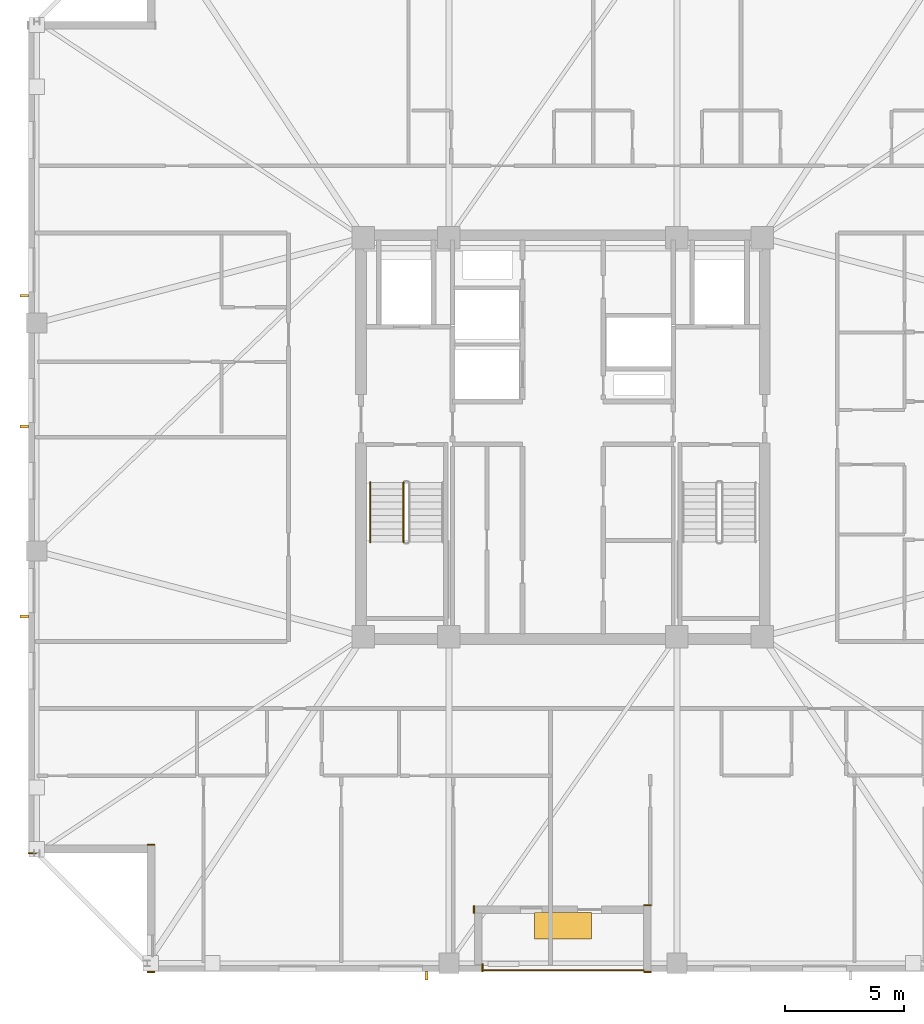
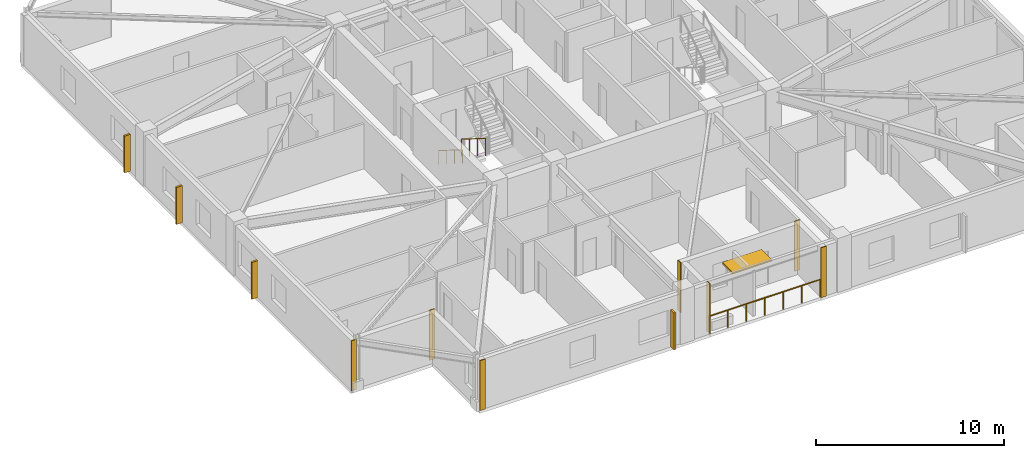
# One storey, part 13 of 17: 7 coverings, 5 shading devices, 3 railings.
"""IFC4 building model written with IfcOpenShell, lengths in metres."""

from ifc_helpers import new_model, si_unit, direction, frame, frame_2d, origin, origin_2d, place, context, subcontext, project, spatial, rectangle, circle, extrude, material, layer, layer_set, type_object, element, save


model = new_model("IFC4")

# Units and contexts
model_context = context("Model", 3, precision=1e-05, world=origin(), true_north=direction((0.0, 1.0)))
body_context = subcontext(model_context, "Body", "Model", "MODEL_VIEW")
ifc_project = project(units=[si_unit("LENGTHUNIT", "METRE"), si_unit("AREAUNIT", "SQUARE_METRE"), si_unit("VOLUMEUNIT", "CUBIC_METRE"), si_unit("PLANEANGLEUNIT", "RADIAN"), si_unit("MASSUNIT", "GRAM", prefix="KILO")], contexts=[model_context])

# Site, building, storey
site_placement = place(None, origin())
site = spatial("IfcSite", under=ifc_project, at=site_placement, CompositionType="ELEMENT")
building_placement = place(site_placement, origin())
building = spatial("IfcBuilding", under=site, at=building_placement, Name="Cairnveth Concourse Tower", CompositionType="ELEMENT")
storey_placement = place(building_placement, frame((0.0, 0.0, 272.5)))
storey = spatial("IfcBuildingStorey", under=building, at=storey_placement, Name="L75", CompositionType="ELEMENT", Elevation=272.5)

# Coverings
ifc_material_1 = material(Name="Dressed Melbourne Bluestone Cladding", Category="masonry")
ifc_layer = layer(ifc_material_1, 0.050048828125)
ifc_layer_set = layer_set([ifc_layer], Name="Dressed Melbourne Bluestone Cladding")
covering_type = type_object("IfcCoveringType", Name="DRESSED BLUESTONE PLINTH CLADDING 50", PredefinedType="CLADDING", material=ifc_layer_set)
for number, where, z_axis, x_axis, name in (
    (1, (48.6201171875, 16.820068359375, 0.0), (0.0, 0.0, 1.0), (0.0, -1.0, 0.0), "Melbourne Bluestone Corner Quoin L75-1135"),
    (2, (34.820068359375, 16.47998046875, 0.0), (0.0, 0.0, 1.0), (-1.0, 0.0, 0.0), "Melbourne Bluestone Corner Quoin L75-1136"),
    (3, (34.820068359375, 21.840087890625, 0.0), (0.0, 0.0, 1.0), (-1.0, 0.0, 0.0), "Melbourne Bluestone Corner Quoin L75-1137"),
    (4, (29.820068359375, 21.47998046875, 0.0), (0.0, 0.0, 1.0), (-1.0, 0.0, 0.0), "Melbourne Bluestone Corner Quoin L75-1138"),
    (5, (55.719970703125, 16.47998046875, 0.0), (0.0, 0.0, 1.0), (-1.0, 0.0, 0.0), "Melbourne Bluestone Corner Quoin L75-1148"),
    (6, (55.719970703125, 19.2900390625, 0.0), (0.0, 0.0, 1.0), (-1.0, 0.0, 0.0), "Melbourne Bluestone Corner Quoin L75-1149"),
    (7, (48.260009765625, 19.27001953125, 0.0), (0.0, 0.0, 1.0), (0.0, -1.0, 0.0), "Melbourne Bluestone Corner Quoin L75-1150"),
):
    element("IfcCovering", number, at=place(storey_placement, frame(where, z_axis=z_axis, x_axis=x_axis)), inside=storey, type_object=covering_type, Name=name, PredefinedType="CLADDING", context=body_context, shape_type="SweptSolid", body=[
        extrude(rectangle(XDim=0.320068359375, YDim=0.050048828125, at=frame_2d((0.16015625, 0.0))), origin(), (0.0, 0.0, 1.0), 3.239990234375),
    ])

# Shading devices
ifc_material_2 = material(Name="Architectural Bronze Anodised Aluminium 6063-T6", Category="aluminium")
shading_device_type_1 = type_object("IfcShadingDeviceType", Name="GOTHIC BRONZE VERTICAL LANCET FIN", PredefinedType="USERDEFINED", material=ifc_material_2)
for number, where, z_axis, x_axis, name in (
    (8, (46.259521484375, 16.324951171875, 0.0302734375), (0.0, 0.0, 1.0), (1.0, 0.0, 0.0), "Gothic Bronze Vertical Fin L75-0-1"),
    (9, (29.324951171875, 31.453125, 0.0302734375), (0.0, 0.0, 1.0), (0.0, 1.0, 0.0), "Gothic Bronze Vertical Fin L75-3-3"),
    (10, (29.324951171875, 39.45361328125, 0.0302734375), (0.0, 0.0, 1.0), (0.0, 1.0, 0.0), "Gothic Bronze Vertical Fin L75-3-5"),
    (11, (29.324951171875, 44.9541015625, 0.0302734375), (0.0, 0.0, 1.0), (0.0, 1.0, 0.0), "Gothic Bronze Vertical Fin L75-3-7"),
):
    element("IfcShadingDevice", number, at=place(storey_placement, frame(where, z_axis=z_axis, x_axis=x_axis)), inside=storey, type_object=shading_device_type_1, Name=name, ObjectType="VERTICAL FIN", PredefinedType="USERDEFINED", context=body_context, shape_type="SweptSolid", body=[
        extrude(rectangle(XDim=0.1201171875, YDim=0.360107421875, at=origin_2d()), origin(), (0.0, 0.0, 1.0), 2.387939453125),
    ])
shading_device_type_2 = type_object("IfcShadingDeviceType", Name="SPIRAL TERRACE SUNSHADE CANOPY", PredefinedType="USERDEFINED", material=ifc_material_2)
shading_device_placement = place(storey_placement, frame((52.0, 18.429931640625, 2.267822265625), z_axis=(0.0, 0.0, 1.0), x_axis=(1.0, 0.0, 0.0)))
element("IfcShadingDevice", 12, at=shading_device_placement, inside=storey, type_object=shading_device_type_2, Name="Spiral Terrace Sunshade L75", ObjectType="TERRACE SUNSHADE", PredefinedType="USERDEFINED", context=body_context, shape_type="SweptSolid", body=[
    extrude(rectangle(XDim=2.39990234375, YDim=1.10009765625, at=origin_2d()), origin(), (0.0, 0.0, 1.0), 0.1201171875),
])

# Railings
ifc_material_3 = material(Name="Steel Grade 350", Category="steel")
railing_type_1 = type_object("IfcRailingType", Name="STAIR GUARDRAIL 1150", PredefinedType="GUARDRAIL", material=ifc_material_3)
railing_1_placement = place(storey_placement, frame((45.2900390625, 37.10009765625, 0.175048828125)))
element("IfcRailing", 13, at=railing_1_placement, inside=storey, type_object=railing_type_1, Name="L75 ST-1 stair guard 1", PredefinedType="GUARDRAIL", context=body_context, shape_type="SweptSolid", body=[
    extrude(circle(Radius=0.02392578125, at=origin_2d()), frame((0.0, 0.0, 1.1259765625), z_axis=(0.0, -0.848007534815, 0.529984170421), x_axis=(1.0, 0.0, 0.0)), (0.0, 0.0, 1.0), 2.9716796875),
    extrude(circle(Radius=0.02099609375, at=origin_2d()), origin(), (0.0, 0.0, 1.0), 1.101806640625),
    extrude(circle(Radius=0.02099609375, at=origin_2d()), frame((0.0, -0.840087890625, 0.52490234375)), (0.0, 0.0, 1.0), 1.101806640625),
    extrude(circle(Radius=0.02099609375, at=origin_2d()), frame((0.0, -1.679931640625, 1.050048828125)), (0.0, 0.0, 1.0), 1.101806640625),
    extrude(circle(Radius=0.02099609375, at=origin_2d()), frame((0.0, -2.52001953125, 1.574951171875)), (0.0, 0.0, 1.0), 1.101806640625),
])
railing_type_2 = type_object("IfcRailingType", Name="STAIR WALL HANDRAIL 900", PredefinedType="HANDRAIL", material=ifc_material_3)
railing_2_placement = place(storey_placement, frame((43.889892578125, 37.10009765625, 0.175048828125)))
element("IfcRailing", 14, at=railing_2_placement, inside=storey, type_object=railing_type_2, Name="L75 ST-1 stair handrail 1", PredefinedType="HANDRAIL", context=body_context, shape_type="SweptSolid", body=[
    extrude(circle(Radius=0.02392578125, at=origin_2d()), frame((0.0, 0.0, 0.8759765625), z_axis=(0.0, -0.848007534815, 0.529984170421), x_axis=(1.0, 0.0, 0.0)), (0.0, 0.0, 1.0), 2.9716796875),
    extrude(circle(Radius=0.02099609375, at=origin_2d()), origin(), (0.0, 0.0, 1.0), 0.851806640625),
    extrude(circle(Radius=0.02099609375, at=origin_2d()), frame((0.0, -0.840087890625, 0.52490234375)), (0.0, 0.0, 1.0), 0.851806640625),
    extrude(circle(Radius=0.02099609375, at=origin_2d()), frame((0.0, -1.679931640625, 1.050048828125)), (0.0, 0.0, 1.0), 0.851806640625),
    extrude(circle(Radius=0.02099609375, at=origin_2d()), frame((0.0, -2.52001953125, 1.574951171875)), (0.0, 0.0, 1.0), 0.851806640625),
])
railing_type_3 = type_object("IfcRailingType", Name="TERRACE BRONZE BALUSTRADE 1150", PredefinedType="BALUSTRADE", material=ifc_material_2)
railing_3_placement = place(storey_placement, frame((48.60009765625, 16.56005859375, 0.0)))
element("IfcRailing", 15, at=railing_3_placement, inside=storey, type_object=railing_type_3, Name="Terrace Balustrade RL-L75-TERR", PredefinedType="BALUSTRADE", context=body_context, shape_type="SweptSolid", body=[
    extrude(circle(Radius=0.02490234375, at=origin_2d()), frame((0.0, 0.0, 1.125), z_axis=(1.0, 0.0, 0.0), x_axis=(0.0, 1.0, 0.0)), (0.0, 0.0, 1.0), 6.7998046875),
    extrude(circle(Radius=0.02099609375, at=origin_2d()), origin(), (0.0, 0.0, 1.0), 1.099853515625),
    extrude(circle(Radius=0.02099609375, at=origin_2d()), frame((1.13330078125, 0.0, 0.0)), (0.0, 0.0, 1.0), 1.099853515625),
    extrude(circle(Radius=0.02099609375, at=origin_2d()), frame((2.2666015625, 0.0, 0.0)), (0.0, 0.0, 1.0), 1.099853515625),
    extrude(circle(Radius=0.02099609375, at=origin_2d()), frame((3.39990234375, 0.0, 0.0)), (0.0, 0.0, 1.0), 1.099853515625),
    extrude(circle(Radius=0.02099609375, at=origin_2d()), frame((4.533203125, 0.0, 0.0)), (0.0, 0.0, 1.0), 1.099853515625),
    extrude(circle(Radius=0.02099609375, at=origin_2d()), frame((5.66650390625, 0.0, 0.0)), (0.0, 0.0, 1.0), 1.099853515625),
    extrude(circle(Radius=0.02099609375, at=origin_2d()), frame((6.7998046875, 0.0, 0.0)), (0.0, 0.0, 1.0), 1.099853515625),
])

save(model, "model.ifc")
